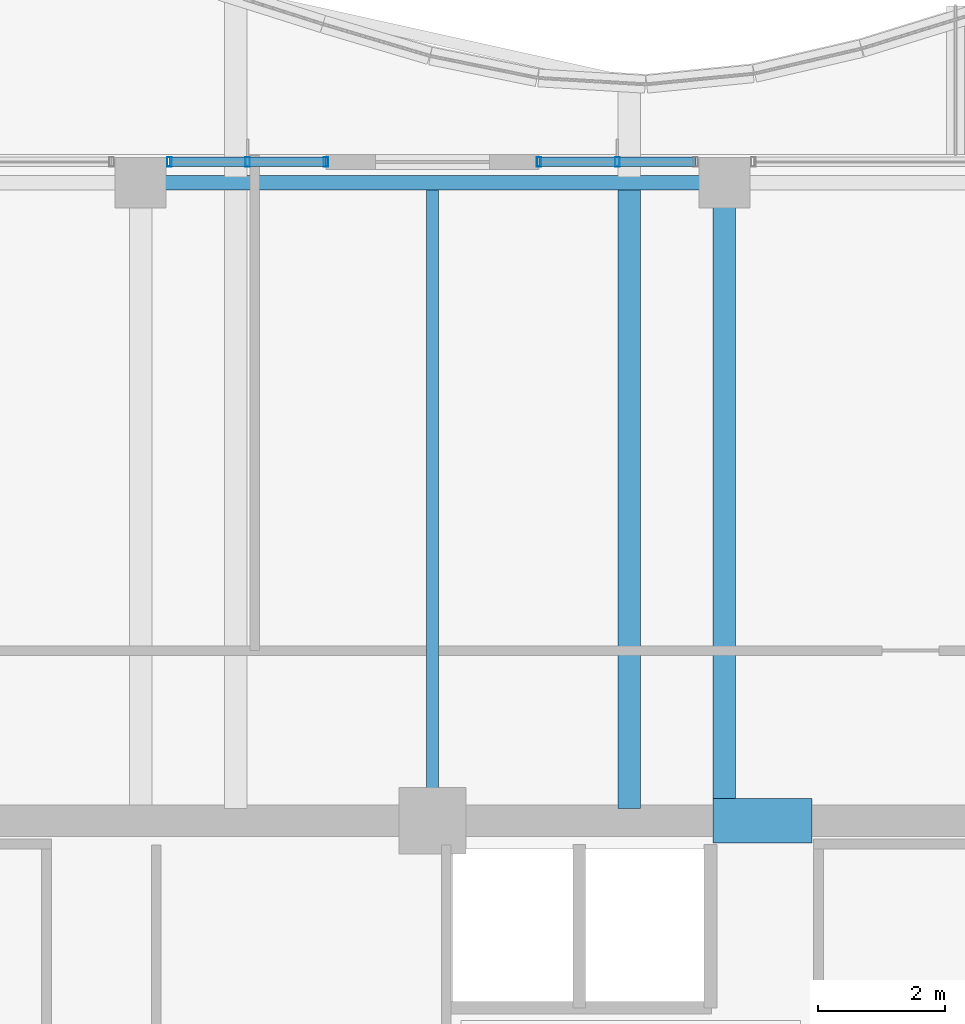
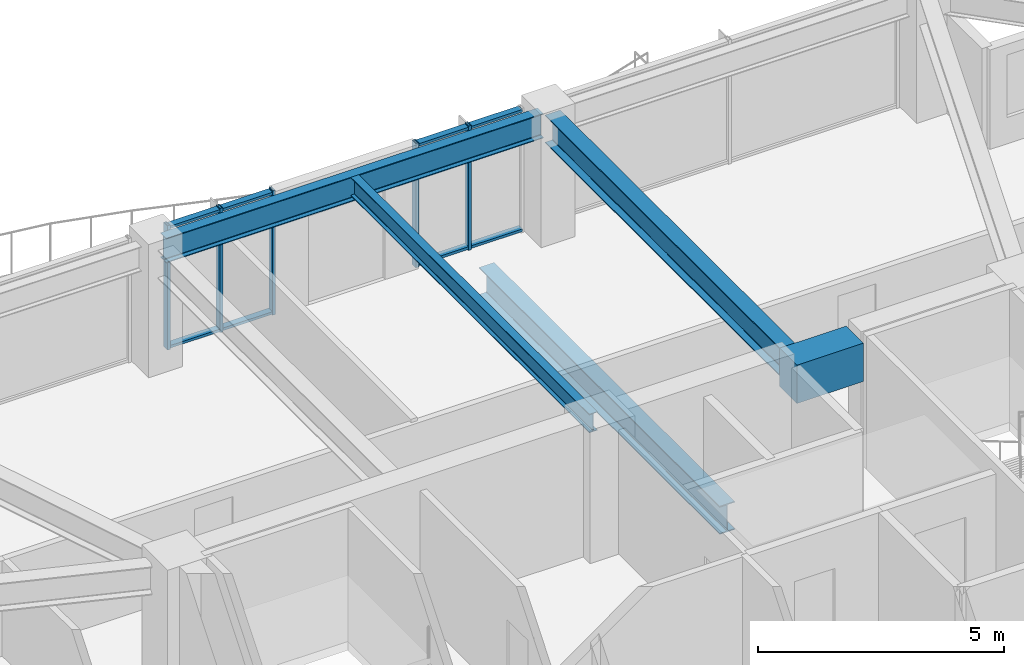
# One storey, part 17 of 36: 9 members, 5 beams, 2 elements without a shape of their own.
"""IFC4 building model written with IfcOpenShell, lengths in metres."""

from ifc_helpers import new_model, si_unit, direction, frame, origin, origin_2d, place, context, subcontext, project, spatial, rectangle, hollow_rectangle, i_section, extrude, material, material_profile, profile_set, type_object, element, aggregate, save


model = new_model("IFC4")

# Units and contexts
model_context = context("Model", 3, precision=1e-05, world=origin(), true_north=direction((0.0, 1.0)))
body_context = subcontext(model_context, "Body", "Model", "MODEL_VIEW")
ifc_project = project(units=[si_unit("LENGTHUNIT", "METRE"), si_unit("AREAUNIT", "SQUARE_METRE"), si_unit("VOLUMEUNIT", "CUBIC_METRE"), si_unit("PLANEANGLEUNIT", "RADIAN"), si_unit("MASSUNIT", "GRAM", prefix="KILO")], contexts=[model_context])

# Site, building, storey
site_placement = place(None, origin())
site = spatial("IfcSite", under=ifc_project, at=site_placement, CompositionType="ELEMENT")
building_placement = place(site_placement, origin())
building = spatial("IfcBuilding", under=site, at=building_placement, Name="Kolvaren Belvedere", CompositionType="ELEMENT")
storey_placement = place(building_placement, frame((0.0, 0.0, 196.5)))
storey = spatial("IfcBuildingStorey", under=building, at=storey_placement, Name="L57", CompositionType="ELEMENT", Elevation=196.5)

# Beams
ifc_material_1 = material(Name="Structural steel ASTM A992 Grade 50", Category="steel")
ifc_material_profile_1 = material_profile(ifc_material_1, i_section(OverallWidth=0.35498046875, OverallDepth=0.696044921875, WebThickness=0.015380859375, FlangeThickness=0.02490234375, FilletRadius=0.02197265625, at=origin_2d()), Name="W27X146")
ifc_profile_set_1 = profile_set([ifc_material_profile_1], Name="Structural steel ASTM A992 Grade 50")
beam_type_1 = type_object("IfcBeamType", Name="BM-GIRD-W27X146", PredefinedType="BEAM", material=ifc_profile_set_1)
beam_1_placement = place(storey_placement, frame((3.10009765625, 10.090087890625, -0.568115234375), z_axis=(0.0, 1.0, 0.0), x_axis=(-1.0, 0.0, 0.0)))
element("IfcBeam", 1, at=beam_1_placement, inside=storey, type_object=beam_type_1, Name="L57 Balcony Interior Back-Span Girder BAL-N-2", PredefinedType="BEAM", context=body_context, shape_type="SweptSolid", body=[
    extrude(i_section(OverallWidth=0.35498046875, OverallDepth=0.696044921875, WebThickness=0.015380859375, FlangeThickness=0.02490234375, FilletRadius=0.02197265625, at=origin_2d()), origin(), (0.0, 0.0, 1.0), 9.764892578125),
])
beam_2_placement = place(storey_placement, frame((4.60009765625, 10.14990234375, 2.73193359375), z_axis=(0.0, 1.0, 0.0), x_axis=(-1.0, 0.0, 0.0)))
element("IfcBeam", 2, at=beam_2_placement, inside=storey, type_object=beam_type_1, Name="L57 North Radial Girder P", PredefinedType="BEAM", context=body_context, shape_type="SweptSolid", body=[
    extrude(i_section(OverallWidth=0.35498046875, OverallDepth=0.696044921875, WebThickness=0.015380859375, FlangeThickness=0.02490234375, FilletRadius=0.02197265625, at=origin_2d()), origin(), (0.0, 0.0, 1.0), 9.6201171875),
])
ifc_material_2 = material(Name="Structural steel ASTM A992 Grade 50", Category="steel")
ifc_material_profile_2 = material_profile(ifc_material_2, i_section(OverallWidth=0.19091796875, OverallDepth=0.4599609375, WebThickness=0.010009765625, FlangeThickness=0.01611328125, FilletRadius=0.014892578125, at=origin_2d()), Name="W18X55")
ifc_profile_set_2 = profile_set([ifc_material_profile_2], Name="Structural steel ASTM A992 Grade 50")
beam_type_2 = type_object("IfcBeamType", Name="BM-JOIST-W18X55", PredefinedType="BEAM", material=ifc_profile_set_2)
beam_3_placement = place(storey_placement, frame((0.0, 10.14990234375, 2.85009765625), z_axis=(0.0, 1.0, 0.0), x_axis=(-1.0, 0.0, 0.0)))
element("IfcBeam", 3, at=beam_3_placement, inside=storey, type_object=beam_type_2, Name="L57 North Centre Floor Beam", PredefinedType="BEAM", context=body_context, shape_type="SweptSolid", body=[
    extrude(i_section(OverallWidth=0.19091796875, OverallDepth=0.4599609375, WebThickness=0.010009765625, FlangeThickness=0.01611328125, FilletRadius=0.014892578125, at=origin_2d()), origin(), (0.0, 0.0, 1.0), 9.685546875),
])
ifc_material_3 = material(Name="Concrete C60/75", Category="concrete")
ifc_material_profile_3 = material_profile(ifc_material_3, rectangle(XDim=0.699951171875, YDim=0.949951171875, at=origin_2d()), Name="RC 700X950")
ifc_profile_set_3 = profile_set([ifc_material_profile_3], Name="Concrete C60/75")
beam_type_3 = type_object("IfcBeamType", Name="BM-LINT-950", PredefinedType="LINTEL", material=ifc_profile_set_3)
beam_4_placement = place(storey_placement, frame((4.419921875, 9.89990234375, 2.60498046875), z_axis=(1.0, 0.0, 0.0), x_axis=(0.0, 1.0, 0.0)))
element("IfcBeam", 4, at=beam_4_placement, inside=storey, type_object=beam_type_3, Name="L57 North Core Coupling Lintel", PredefinedType="LINTEL", context=body_context, shape_type="SweptSolid", body=[
    extrude(rectangle(XDim=0.699951171875, YDim=0.949951171875, at=origin_2d()), origin(), (0.0, 0.0, 1.0), 1.56005859375),
])
ifc_material_4 = material(Name="Structural steel ASTM A992 Grade 50", Category="steel")
ifc_material_profile_4 = material_profile(ifc_material_4, i_section(OverallWidth=0.22900390625, OverallDepth=0.612060546875, WebThickness=0.011962890625, FlangeThickness=0.01953125, FilletRadius=0.01806640625, at=origin_2d()), Name="W24X84")
ifc_profile_set_4 = profile_set([ifc_material_profile_4], Name="Structural steel ASTM A992 Grade 50")
beam_type_4 = type_object("IfcBeamType", Name="BM-SPAN-W24X84", PredefinedType="SPANDREL", material=ifc_profile_set_4)
beam_5_placement = place(storey_placement, frame((4.419921875, 19.949951171875, 2.77392578125), z_axis=(-1.0, 0.0, 0.0), x_axis=(0.0, -1.0, 0.0)))
element("IfcBeam", 5, at=beam_5_placement, inside=storey, type_object=beam_type_4, Name="L57 Perimeter Spandrel N3-N2", PredefinedType="SPANDREL", context=body_context, shape_type="SweptSolid", body=[
    extrude(i_section(OverallWidth=0.22900390625, OverallDepth=0.612060546875, WebThickness=0.011962890625, FlangeThickness=0.01953125, FilletRadius=0.01806640625, at=origin_2d()), origin(), (0.0, 0.0, 1.0), 8.83984375),
])

# Curtain wall, members
ifc_material_5 = material(Name="Anodised pale-metal aluminium AA 6063-T6", Category="aluminium")
curtain_wall_type = type_object("IfcCurtainWallType", Name="CW-Z5-HIGH", PredefinedType="NOTDEFINED", material=ifc_material_5)
curtain_wall_1_placement = place(storey_placement, origin())
curtain_wall_1 = element("IfcCurtainWall", 6, at=curtain_wall_1_placement, inside=storey, type_object=curtain_wall_type, Name="L57 Unitised Curtain Wall FCW-L57-N1-B2", PredefinedType="NOTDEFINED")
ifc_material_6 = material(Name="Anodised pale-metal aluminium AA 6063-T6", Category="aluminium")
ifc_material_profile_5 = material_profile(ifc_material_6, hollow_rectangle(XDim=0.070068359375, YDim=0.14990234375, WallThickness=0.004150390625, at=origin_2d()), Name="ALU-MUL-150X70")
ifc_profile_set_5 = profile_set([ifc_material_profile_5], Name="Anodised pale-metal aluminium AA 6063-T6")
member_type_1 = type_object("IfcMemberType", Name="CW-MUL-150", PredefinedType="MULLION", material=ifc_profile_set_5)
member_1_placement = place(storey_placement, frame((-4.14501953125, 20.280029296875, 0.0), z_axis=(0.0, 0.0, 1.0), x_axis=(1.0, 0.0, 0.0)))
member_1 = element("IfcMember", 7, at=member_1_placement, type_object=member_type_1, Name="FCW-L57-N1-B2 Unitised Mullion 1", PredefinedType="MULLION", context=body_context, shape_type="SweptSolid", body=[
    extrude(hollow_rectangle(XDim=0.070068359375, YDim=0.14990234375, WallThickness=0.004150390625, at=origin_2d()), origin(), (0.0, 0.0, 1.0), 3.080078125),
])
member_2_placement = place(storey_placement, frame((-2.91259765625, 20.280029296875, 0.0), z_axis=(0.0, 0.0, 1.0), x_axis=(1.0, 0.0, 0.0)))
member_2 = element("IfcMember", 8, at=member_2_placement, type_object=member_type_1, Name="FCW-L57-N1-B2 Unitised Mullion 2", PredefinedType="MULLION", context=body_context, shape_type="SweptSolid", body=[
    extrude(hollow_rectangle(XDim=0.070068359375, YDim=0.14990234375, WallThickness=0.004150390625, at=origin_2d()), origin(), (0.0, 0.0, 1.0), 3.080078125),
])
member_3_placement = place(storey_placement, frame((-1.679931640625, 20.280029296875, 0.0), z_axis=(0.0, 0.0, 1.0), x_axis=(1.0, 0.0, 0.0)))
member_3 = element("IfcMember", 9, at=member_3_placement, type_object=member_type_1, Name="FCW-L57-N1-B2 Unitised Mullion 3", PredefinedType="MULLION", context=body_context, shape_type="SweptSolid", body=[
    extrude(hollow_rectangle(XDim=0.070068359375, YDim=0.14990234375, WallThickness=0.004150390625, at=origin_2d()), origin(), (0.0, 0.0, 1.0), 3.080078125),
])

curtain_wall_2_placement = place(storey_placement, origin())
curtain_wall_2 = element("IfcCurtainWall", 10, at=curtain_wall_2_placement, inside=storey, type_object=curtain_wall_type, Name="L57 Unitised Curtain Wall FCW-L57-N2-B1", PredefinedType="NOTDEFINED")
member_4_placement = place(storey_placement, frame((1.679931640625, 20.280029296875, 0.0), z_axis=(0.0, 0.0, 1.0), x_axis=(1.0, 0.0, 0.0)))
member_4 = element("IfcMember", 11, at=member_4_placement, type_object=member_type_1, Name="FCW-L57-N2-B1 Unitised Mullion 1", PredefinedType="MULLION", context=body_context, shape_type="SweptSolid", body=[
    extrude(hollow_rectangle(XDim=0.070068359375, YDim=0.14990234375, WallThickness=0.004150390625, at=origin_2d()), origin(), (0.0, 0.0, 1.0), 3.080078125),
])
member_5_placement = place(storey_placement, frame((2.91259765625, 20.280029296875, 0.0), z_axis=(0.0, 0.0, 1.0), x_axis=(1.0, 0.0, 0.0)))
member_5 = element("IfcMember", 12, at=member_5_placement, type_object=member_type_1, Name="FCW-L57-N2-B1 Unitised Mullion 2", PredefinedType="MULLION", context=body_context, shape_type="SweptSolid", body=[
    extrude(hollow_rectangle(XDim=0.070068359375, YDim=0.14990234375, WallThickness=0.004150390625, at=origin_2d()), origin(), (0.0, 0.0, 1.0), 3.080078125),
])

# Member
ifc_material_7 = material(Name="Anodised pale-metal aluminium AA 6063-T6", Category="aluminium")
ifc_material_profile_6 = material_profile(ifc_material_7, hollow_rectangle(XDim=0.06494140625, YDim=0.14990234375, WallThickness=0.00390625, at=origin_2d()), Name="ALU-TRN-150X65")
ifc_profile_set_6 = profile_set([ifc_material_profile_6], Name="Anodised pale-metal aluminium AA 6063-T6")
member_type_2 = type_object("IfcMemberType", Name="CW-TRN-150", PredefinedType="USERDEFINED", material=ifc_profile_set_6)
member_6_placement = place(storey_placement, frame((-4.14501953125, 20.280029296875, 0.06005859375), z_axis=(1.0, 0.0, 0.0), x_axis=(0.0, 0.0, 1.0)))
member_6 = element("IfcMember", 13, at=member_6_placement, type_object=member_type_2, Name="FCW-L57-N1-B2 Sill Transom", ObjectType="TRANSOM", PredefinedType="USERDEFINED", context=body_context, shape_type="SweptSolid", body=[
    extrude(hollow_rectangle(XDim=0.06494140625, YDim=0.14990234375, WallThickness=0.00390625, at=origin_2d()), origin(), (0.0, 0.0, 1.0), 2.465087890625),
])

member_7_placement = place(storey_placement, frame((-4.14501953125, 20.280029296875, 3.02001953125), z_axis=(1.0, 0.0, 0.0), x_axis=(0.0, 0.0, 1.0)))
member_7 = element("IfcMember", 14, at=member_7_placement, type_object=member_type_2, Name="FCW-L57-N1-B2 Head Transom", ObjectType="TRANSOM", PredefinedType="USERDEFINED", context=body_context, shape_type="SweptSolid", body=[
    extrude(hollow_rectangle(XDim=0.06494140625, YDim=0.14990234375, WallThickness=0.00390625, at=origin_2d()), origin(), (0.0, 0.0, 1.0), 2.465087890625),
])

aggregate(curtain_wall_1, [member_1, member_2, member_3, member_6, member_7])

member_8_placement = place(storey_placement, frame((1.679931640625, 20.280029296875, 0.06005859375), z_axis=(1.0, 0.0, 0.0), x_axis=(0.0, 0.0, 1.0)))
member_8 = element("IfcMember", 15, at=member_8_placement, type_object=member_type_2, Name="FCW-L57-N2-B1 Sill Transom", ObjectType="TRANSOM", PredefinedType="USERDEFINED", context=body_context, shape_type="SweptSolid", body=[
    extrude(hollow_rectangle(XDim=0.06494140625, YDim=0.14990234375, WallThickness=0.00390625, at=origin_2d()), origin(), (0.0, 0.0, 1.0), 2.465087890625),
])

member_9_placement = place(storey_placement, frame((1.679931640625, 20.280029296875, 3.02001953125), z_axis=(1.0, 0.0, 0.0), x_axis=(0.0, 0.0, 1.0)))
member_9 = element("IfcMember", 16, at=member_9_placement, type_object=member_type_2, Name="FCW-L57-N2-B1 Head Transom", ObjectType="TRANSOM", PredefinedType="USERDEFINED", context=body_context, shape_type="SweptSolid", body=[
    extrude(hollow_rectangle(XDim=0.06494140625, YDim=0.14990234375, WallThickness=0.00390625, at=origin_2d()), origin(), (0.0, 0.0, 1.0), 2.465087890625),
])

aggregate(curtain_wall_2, [member_4, member_5, member_8, member_9])

save(model, "model.ifc")
